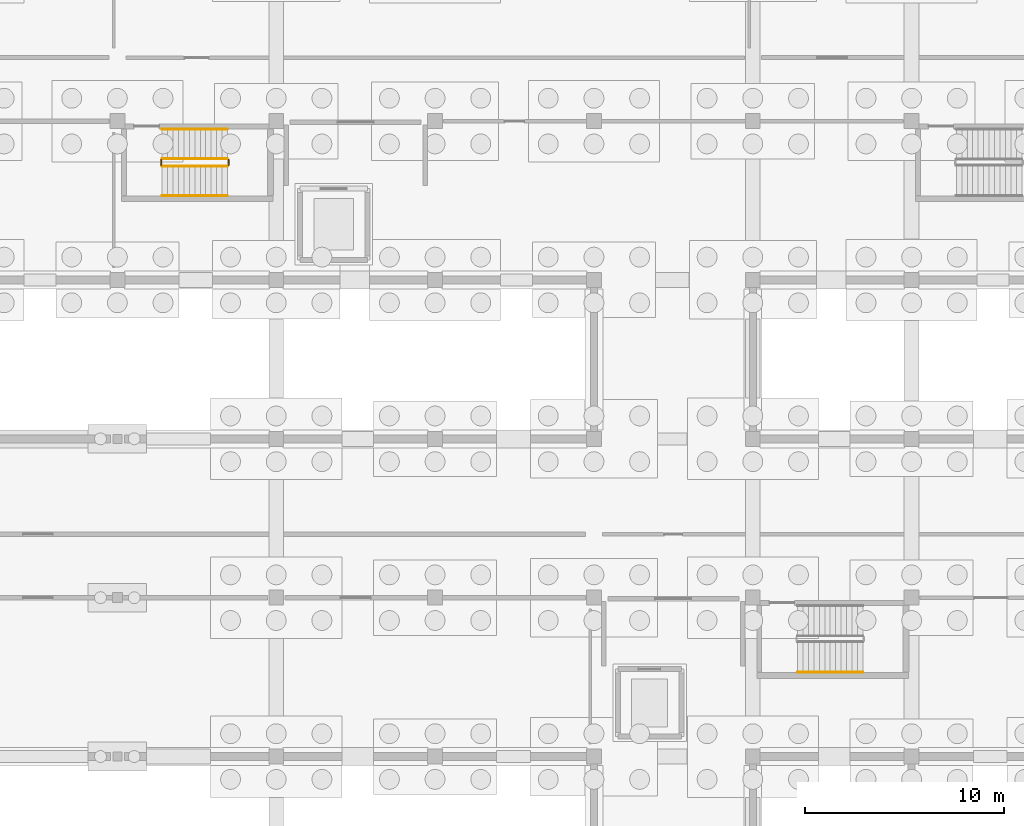
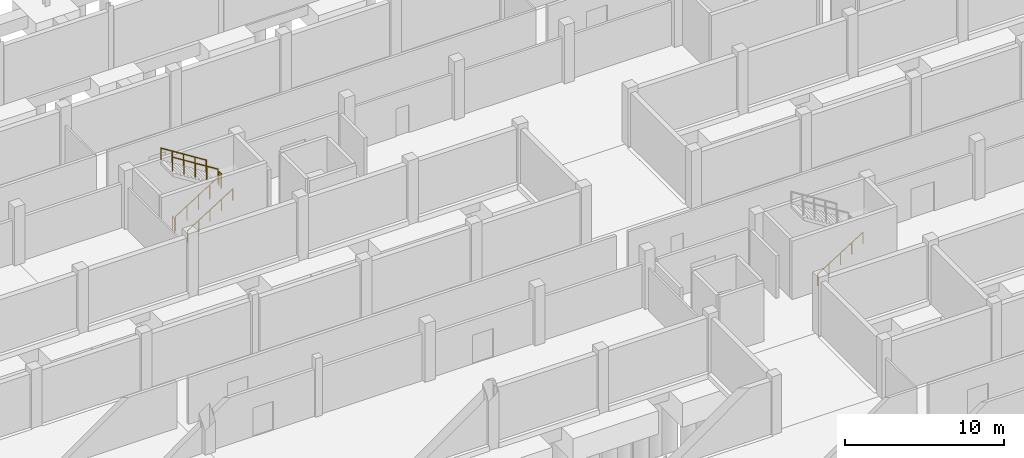
# One storey, part 49 of 51: 7 railings.
"""IFC4 building model written with IfcOpenShell, lengths in metres."""

from ifc_helpers import new_model, si_unit, direction, frame, origin, origin_2d, place, context, subcontext, project, spatial, circle, extrude, material, type_object, element, save


model = new_model("IFC4")

# Units and contexts
model_context = context("Model", 3, precision=1e-05, world=origin(), true_north=direction((0.0, 1.0)))
body_context = subcontext(model_context, "Body", "Model", "MODEL_VIEW")
ifc_project = project(units=[si_unit("LENGTHUNIT", "METRE"), si_unit("AREAUNIT", "SQUARE_METRE"), si_unit("VOLUMEUNIT", "CUBIC_METRE"), si_unit("PLANEANGLEUNIT", "RADIAN"), si_unit("MASSUNIT", "GRAM", prefix="KILO")], contexts=[model_context])

# Site, building, storey
site_placement = place(None, origin())
site = spatial("IfcSite", under=ifc_project, at=site_placement, CompositionType="ELEMENT")
building_placement = place(site_placement, origin())
building = spatial("IfcBuilding", under=site, at=building_placement, Name="Jelvoka-Kovrelna Polytechnic", CompositionType="ELEMENT")
storey_placement = place(building_placement, frame((0.0, 0.0, -4.5)))
storey = spatial("IfcBuildingStorey", under=building, at=storey_placement, Name="B01", CompositionType="ELEMENT", Elevation=-4.5)

# Railings
ifc_material_1 = material(Name="Powder-coated steel stair guard", Category="steel")
railing_type_1 = type_object("IfcRailingType", Name="Railing_Stair_Guard_1100", PredefinedType="GUARDRAIL", material=ifc_material_1)
railing_1_placement = place(storey_placement, frame((122.25, 61.72998046875, 0.173095703125)))
element("IfcRailing", 1, at=railing_1_placement, inside=storey, type_object=railing_type_1, Name="B01 ST11 stair guard 1", PredefinedType="GUARDRAIL", context=body_context, shape_type="SweptSolid", body=[
    extrude(circle(Radius=0.02392578125, at=origin_2d()), frame((0.0, 0.0, 1.076171875), z_axis=(0.846337383501, 0.0, 0.532647194011), x_axis=(0.0, 1.0, 0.0)), (0.0, 0.0, 1.0), 3.899169921875),
    extrude(circle(Radius=0.02099609375, at=origin_2d()), origin(), (0.0, 0.0, 1.0), 1.052001953125),
    extrude(circle(Radius=0.02099609375, at=origin_2d()), frame((0.824951171875, 0.0, 0.519287109375)), (0.0, 0.0, 1.0), 1.052001953125),
    extrude(circle(Radius=0.02099609375, at=origin_2d()), frame((1.64990234375, 0.0, 1.03857421875)), (0.0, 0.0, 1.0), 1.052001953125),
    extrude(circle(Radius=0.02099609375, at=origin_2d()), frame((2.47509765625, 0.0, 1.5576171875)), (0.0, 0.0, 1.0), 1.052001953125),
    extrude(circle(Radius=0.02099609375, at=origin_2d()), frame((3.300048828125, 0.0, 2.076904296875)), (0.0, 0.0, 1.0), 1.052001953125),
])
railing_2_placement = place(storey_placement, frame((125.60009765625, 61.780029296875, 2.25)))
element("IfcRailing", 2, at=railing_2_placement, inside=storey, type_object=railing_type_1, Name="B01 ST11 stair guard 2", PredefinedType="GUARDRAIL", context=body_context, shape_type="SweptSolid", body=[
    extrude(circle(Radius=0.02392578125, at=origin_2d()), frame((0.0, 0.0, 1.076171875), z_axis=(0.0, 1.0, 0.0), x_axis=(-1.0, 0.0, 0.0)), (0.0, 0.0, 1.0), 0.280029296875),
    extrude(circle(Radius=0.02099609375, at=origin_2d()), origin(), (0.0, 0.0, 1.0), 1.052001953125),
    extrude(circle(Radius=0.02099609375, at=origin_2d()), frame((0.0, 0.280029296875, 0.0)), (0.0, 0.0, 1.0), 1.052001953125),
])
railing_3_placement = place(storey_placement, frame((125.550048828125, 62.110107421875, 2.423095703125)))
element("IfcRailing", 3, at=railing_3_placement, inside=storey, type_object=railing_type_1, Name="B01 ST11 stair guard 3", PredefinedType="GUARDRAIL", context=body_context, shape_type="SweptSolid", body=[
    extrude(circle(Radius=0.02392578125, at=origin_2d()), frame((0.0, 0.0, 1.076171875), z_axis=(-0.846337383501, 0.0, 0.532647194011), x_axis=(0.0, -1.0, 0.0)), (0.0, 0.0, 1.0), 3.899169921875),
    extrude(circle(Radius=0.02099609375, at=origin_2d()), origin(), (0.0, 0.0, 1.0), 1.052001953125),
    extrude(circle(Radius=0.02099609375, at=origin_2d()), frame((-0.824951171875, 0.0, 0.519287109375)), (0.0, 0.0, 1.0), 1.052001953125),
    extrude(circle(Radius=0.02099609375, at=origin_2d()), frame((-1.64990234375, 0.0, 1.03857421875)), (0.0, 0.0, 1.0), 1.052001953125),
    extrude(circle(Radius=0.02099609375, at=origin_2d()), frame((-2.47509765625, 0.0, 1.5576171875)), (0.0, 0.0, 1.0), 1.052001953125),
    extrude(circle(Radius=0.02099609375, at=origin_2d()), frame((-3.300048828125, 0.0, 2.076904296875)), (0.0, 0.0, 1.0), 1.052001953125),
])
railing_4_placement = place(storey_placement, frame((122.199951171875, 61.780029296875, 0.0)))
element("IfcRailing", 4, at=railing_4_placement, inside=storey, type_object=railing_type_1, Name="B01 ST11 stair guard 4", PredefinedType="GUARDRAIL", context=body_context, shape_type="SweptSolid", body=[
    extrude(circle(Radius=0.02392578125, at=origin_2d()), frame((0.0, 0.0, 1.076171875), z_axis=(0.0, 1.0, 0.0), x_axis=(-1.0, 0.0, 0.0)), (0.0, 0.0, 1.0), 0.280029296875),
    extrude(circle(Radius=0.02099609375, at=origin_2d()), origin(), (0.0, 0.0, 1.0), 1.052001953125),
    extrude(circle(Radius=0.02099609375, at=origin_2d()), frame((0.0, 0.280029296875, 0.0)), (0.0, 0.0, 1.0), 1.052001953125),
])
ifc_material_2 = material(Name="Brushed stainless steel handrail", Category="steel")
railing_type_2 = type_object("IfcRailingType", Name="Railing_Stair_Handrail_900", PredefinedType="HANDRAIL", material=ifc_material_2)
for number, where, name in (
    (5, (154.25, 36.25, 0.173095703125), "B01 ST08 stair handrail 1"),
    (6, (122.25, 60.25, 0.173095703125), "B01 ST11 stair handrail 1"),
):
    element("IfcRailing", number, at=place(storey_placement, frame(where)), inside=storey, type_object=railing_type_2, Name=name, PredefinedType="HANDRAIL", context=body_context, shape_type="SweptSolid", body=[
        extrude(circle(Radius=0.02392578125, at=origin_2d()), frame((0.0, 0.0, 0.8759765625), z_axis=(0.846337383501, 0.0, 0.532647194011), x_axis=(0.0, 1.0, 0.0)), (0.0, 0.0, 1.0), 3.899169921875),
        extrude(circle(Radius=0.02099609375, at=origin_2d()), origin(), (0.0, 0.0, 1.0), 0.851806640625),
        extrude(circle(Radius=0.02099609375, at=origin_2d()), frame((0.824951171875, 0.0, 0.519287109375)), (0.0, 0.0, 1.0), 0.851806640625),
        extrude(circle(Radius=0.02099609375, at=origin_2d()), frame((1.64990234375, 0.0, 1.03857421875)), (0.0, 0.0, 1.0), 0.851806640625),
        extrude(circle(Radius=0.02099609375, at=origin_2d()), frame((2.47509765625, 0.0, 1.5576171875)), (0.0, 0.0, 1.0), 0.851806640625),
        extrude(circle(Radius=0.02099609375, at=origin_2d()), frame((3.300048828125, 0.0, 2.076904296875)), (0.0, 0.0, 1.0), 0.851806640625),
    ])
railing_5_placement = place(storey_placement, frame((125.550048828125, 63.590087890625, 2.423095703125)))
element("IfcRailing", 7, at=railing_5_placement, inside=storey, type_object=railing_type_2, Name="B01 ST11 stair handrail 2", PredefinedType="HANDRAIL", context=body_context, shape_type="SweptSolid", body=[
    extrude(circle(Radius=0.02392578125, at=origin_2d()), frame((0.0, 0.0, 0.8759765625), z_axis=(-0.846337383501, 0.0, 0.532647194011), x_axis=(0.0, -1.0, 0.0)), (0.0, 0.0, 1.0), 3.899169921875),
    extrude(circle(Radius=0.02099609375, at=origin_2d()), origin(), (0.0, 0.0, 1.0), 0.851806640625),
    extrude(circle(Radius=0.02099609375, at=origin_2d()), frame((-0.824951171875, 0.0, 0.519287109375)), (0.0, 0.0, 1.0), 0.851806640625),
    extrude(circle(Radius=0.02099609375, at=origin_2d()), frame((-1.64990234375, 0.0, 1.03857421875)), (0.0, 0.0, 1.0), 0.851806640625),
    extrude(circle(Radius=0.02099609375, at=origin_2d()), frame((-2.47509765625, 0.0, 1.5576171875)), (0.0, 0.0, 1.0), 0.851806640625),
    extrude(circle(Radius=0.02099609375, at=origin_2d()), frame((-3.300048828125, 0.0, 2.076904296875)), (0.0, 0.0, 1.0), 0.851806640625),
])

save(model, "model.ifc")
